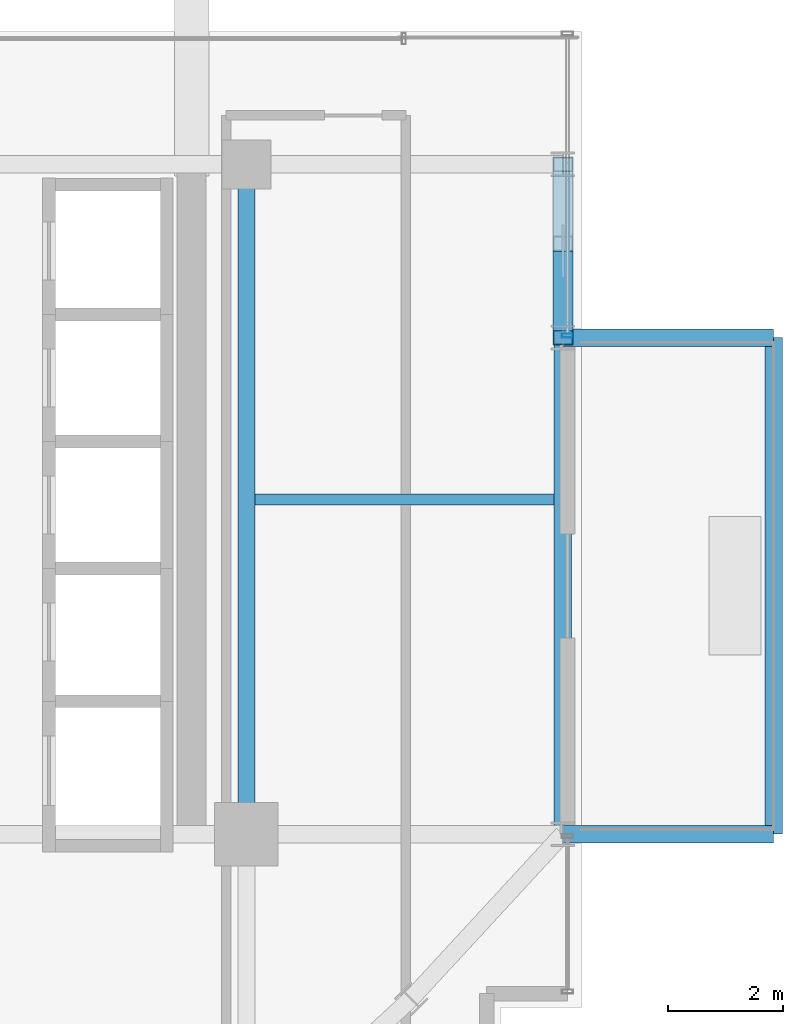
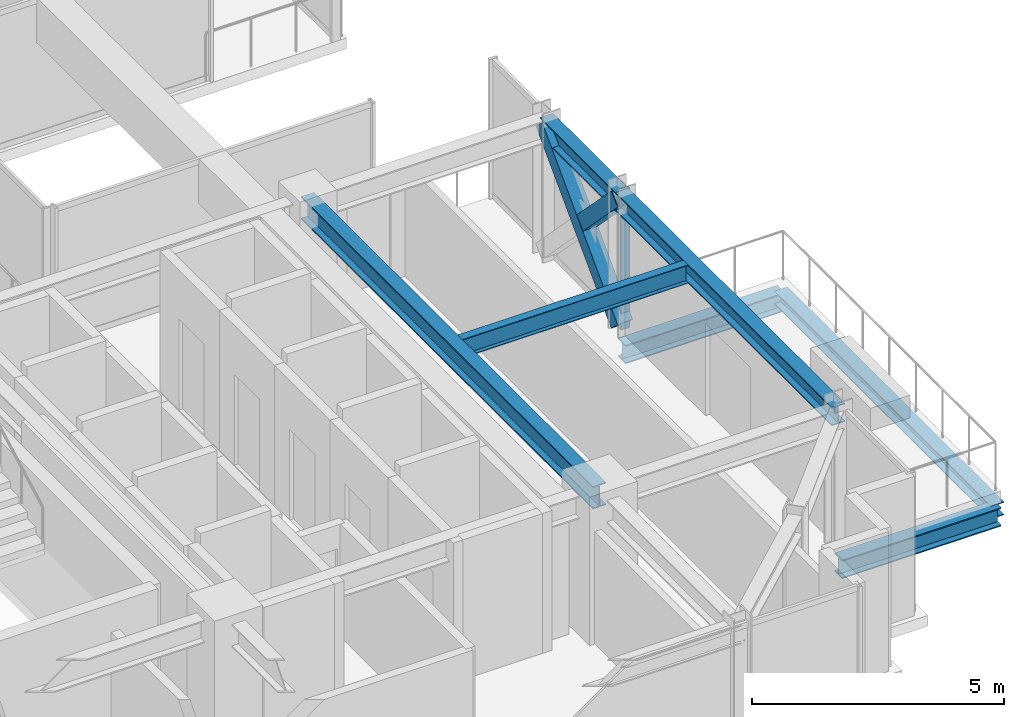
# One storey, part 15 of 36: 7 beams, 3 members, 1 element without a shape of its own.
"""IFC4 building model written with IfcOpenShell, lengths in metres."""

from ifc_helpers import new_model, si_unit, direction, frame, origin, origin_2d, place, context, subcontext, project, spatial, hollow_rectangle, i_section, extrude, source, transform, mapped, material, material_profile, profile_set, type_object, element, aggregate, save


model = new_model("IFC4")

# Units and contexts
model_context = context("Model", 3, precision=1e-05, world=origin(), true_north=direction((0.0, 1.0)))
body_context = subcontext(model_context, "Body", "Model", "MODEL_VIEW")
ifc_project = project(units=[si_unit("LENGTHUNIT", "METRE"), si_unit("AREAUNIT", "SQUARE_METRE"), si_unit("VOLUMEUNIT", "CUBIC_METRE"), si_unit("PLANEANGLEUNIT", "RADIAN"), si_unit("MASSUNIT", "GRAM", prefix="KILO")], contexts=[model_context])

# Site, building, storey
site_placement = place(None, origin())
site = spatial("IfcSite", under=ifc_project, at=site_placement, CompositionType="ELEMENT")
building_placement = place(site_placement, origin())
building = spatial("IfcBuilding", under=site, at=building_placement, Name="Nahalor Promenade Grand Hotel", CompositionType="ELEMENT")
storey_placement = place(building_placement, frame((0.0, 0.0, 174.550048828125)))
storey = spatial("IfcBuildingStorey", under=building, at=storey_placement, Name="L44", CompositionType="ELEMENT", Elevation=174.550048828125)

# Beams
ifc_material_1 = material(Name="Steel S355JR", Category="steel")
ifc_material_profile_1 = material_profile(ifc_material_1, i_section(OverallWidth=0.3, OverallDepth=0.32, WebThickness=0.0115, FlangeThickness=0.0205, at=origin_2d()), Name="HEB 320")
ifc_profile_set_1 = profile_set([ifc_material_profile_1], Name="Steel S355JR")
beam_type_1 = type_object("IfcBeamType", Name="Beam-BalcEdge-HEB320", PredefinedType="SPANDREL", material=ifc_profile_set_1)
shared_shape_1 = source(origin(), body_context, "Body", "SweptSolid", [
    extrude(i_section(OverallWidth=0.3, OverallDepth=0.32, WebThickness=0.0115, FlangeThickness=0.0205, at=origin_2d()), origin(), (0.0, 0.0, 1.0), 8.60009765625),
])
beam_1_placement = place(storey_placement, frame((26.1298828125, -17.0, -0.43994140625), z_axis=(0.0, 1.0, 0.0), x_axis=(-1.0, 0.0, 0.0)))
element("IfcBeam", 1, at=beam_1_placement, inside=storey, type_object=beam_type_1, Name="BM-L44-BC-02-F", PredefinedType="SPANDREL", context=body_context, shape_type="MappedRepresentation", body=[
    mapped(shared_shape_1, transform((0.0, 0.0, 0.0), scale=1.0)),
])
ifc_material_profile_2 = material_profile(ifc_material_1, i_section(OverallWidth=0.3, OverallDepth=0.45, WebThickness=0.014, FlangeThickness=0.026, at=origin_2d()), Name="HEB 450")
ifc_profile_set_2 = profile_set([ifc_material_profile_2], Name="Steel S355JR")
beam_type_2 = type_object("IfcBeamType", Name="Beam-Outrigger-HEB450", PredefinedType="BEAM", material=ifc_profile_set_2)
shared_shape_2 = source(origin(), body_context, "Body", "SweptSolid", [
    extrude(i_section(OverallWidth=0.3, OverallDepth=0.45, WebThickness=0.014, FlangeThickness=0.026, at=origin_2d()), origin(), (0.0, 0.0, 1.0), 3.64990234375),
])
for number, where, z_axis, x_axis, name in (
    (2, (22.47998046875, -17.0, -0.505126953125), (1.0, 0.0, 0.0), (0.0, 1.0, 0.0), "BM-L44-BC-02-1"),
    (3, (22.47998046875, -8.39990234375, -0.505126953125), (1.0, 0.0, 0.0), (0.0, 1.0, 0.0), "BM-L44-BC-02-2"),
):
    element("IfcBeam", number, at=place(storey_placement, frame(where, z_axis=z_axis, x_axis=x_axis)), inside=storey, type_object=beam_type_2, Name=name, PredefinedType="BEAM", context=body_context, shape_type="MappedRepresentation", body=[
        mapped(shared_shape_2, transform((0.0, 0.0, 0.0), scale=1.0)),
    ])
ifc_material_profile_3 = material_profile(ifc_material_1, i_section(OverallWidth=0.3, OverallDepth=0.55, WebThickness=0.015, FlangeThickness=0.029, at=origin_2d()), Name="HEB 550")
ifc_profile_set_3 = profile_set([ifc_material_profile_3], Name="Steel S355JR")
beam_type_3 = type_object("IfcBeamType", Name="Beam-Girder-HEB550", PredefinedType="BEAM", material=ifc_profile_set_3)
shared_shape_3 = source(origin(), body_context, "Body", "SweptSolid", [
    extrude(i_section(OverallWidth=0.3, OverallDepth=0.55, WebThickness=0.015, FlangeThickness=0.029, at=origin_2d()), origin(), (0.0, 0.0, 1.0), 11.60009765625),
])
beam_2_placement = place(storey_placement, frame((17.0, -17.0, 3.114990234375), z_axis=(0.0, 1.0, 0.0), x_axis=(-1.0, 0.0, 0.0)))
element("IfcBeam", 4, at=beam_2_placement, inside=storey, type_object=beam_type_3, Name="BM-L44-GY-5-1", PredefinedType="BEAM", context=body_context, shape_type="MappedRepresentation", body=[
    mapped(shared_shape_3, transform((0.0, 0.0, 0.0), scale=1.0)),
])
ifc_material_profile_4 = material_profile(ifc_material_1, i_section(OverallWidth=0.19, OverallDepth=0.45, WebThickness=0.0094, FlangeThickness=0.0146, at=origin_2d()), Name="IPE 450")
ifc_profile_set_4 = profile_set([ifc_material_profile_4], Name="Steel S355JR")
beam_type_4 = type_object("IfcBeamType", Name="Beam-Joist-IPE450", PredefinedType="JOIST", material=ifc_profile_set_4)
shared_shape_4 = source(origin(), body_context, "Body", "SweptSolid", [
    extrude(i_section(OverallWidth=0.19, OverallDepth=0.45, WebThickness=0.0094, FlangeThickness=0.0146, at=origin_2d()), origin(), (0.0, 0.0, 1.0), 5.18017578125),
])
beam_3_placement = place(storey_placement, frame((17.14990234375, -11.199951171875, 3.1650390625), z_axis=(1.0, 0.0, 0.0), x_axis=(0.0, 1.0, 0.0)))
element("IfcBeam", 5, at=beam_3_placement, inside=storey, type_object=beam_type_4, Name="BM-L44-JSE-0-2", PredefinedType="JOIST", context=body_context, shape_type="MappedRepresentation", body=[
    mapped(shared_shape_4, transform((0.0, 0.0, 0.0), scale=1.0)),
])
ifc_material_profile_5 = material_profile(ifc_material_1, i_section(OverallWidth=0.3, OverallDepth=0.45, WebThickness=0.014, FlangeThickness=0.026, at=origin_2d()), Name="HEB 450")
ifc_profile_set_5 = profile_set([ifc_material_profile_5], Name="Steel S355JR")
beam_type_5 = type_object("IfcBeamType", Name="Beam-Spandrel-HEB450", PredefinedType="SPANDREL", material=ifc_profile_set_5)
shared_shape_5 = source(origin(), body_context, "Body", "SweptSolid", [
    extrude(i_section(OverallWidth=0.3, OverallDepth=0.45, WebThickness=0.014, FlangeThickness=0.026, at=origin_2d()), origin(), (0.0, 0.0, 1.0), 8.60009765625),
])
beam_4_placement = place(storey_placement, frame((22.47998046875, -17.0, 3.1650390625), z_axis=(0.0, 1.0, 0.0), x_axis=(-1.0, 0.0, 0.0)))
element("IfcBeam", 6, at=beam_4_placement, inside=storey, type_object=beam_type_5, Name="BM-L44-SP-E-0", PredefinedType="SPANDREL", context=body_context, shape_type="MappedRepresentation", body=[
    mapped(shared_shape_5, transform((0.0, 0.0, 0.0), scale=1.0)),
])
shared_shape_6 = source(origin(), body_context, "Body", "SweptSolid", [
    extrude(i_section(OverallWidth=0.3, OverallDepth=0.45, WebThickness=0.014, FlangeThickness=0.026, at=origin_2d()), origin(), (0.0, 0.0, 1.0), 3.0),
])
beam_5_placement = place(storey_placement, frame((22.47998046875, -8.39990234375, 3.1650390625), z_axis=(0.0, 1.0, 0.0), x_axis=(-1.0, 0.0, 0.0)))
element("IfcBeam", 7, at=beam_5_placement, inside=storey, type_object=beam_type_5, Name="BM-L44-SP-E-1", PredefinedType="SPANDREL", context=body_context, shape_type="MappedRepresentation", body=[
    mapped(shared_shape_6, transform((0.0, 0.0, 0.0), scale=1.0)),
])

# Members
ifc_material_profile_6 = material_profile(ifc_material_1, hollow_rectangle(XDim=0.35, YDim=0.35, WallThickness=0.02, at=origin_2d()), Name="SHS 350x350x20")
ifc_profile_set_6 = profile_set([ifc_material_profile_6], Name="Steel S355JR")
member_type_1 = type_object("IfcMemberType", Name="Mem-VoidBrace-SHS350", PredefinedType="BRACE", material=ifc_profile_set_6)
shared_shape_7 = source(origin(), body_context, "Body", "SweptSolid", [
    extrude(hollow_rectangle(XDim=0.35, YDim=0.35, WallThickness=0.02, at=origin_2d()), origin(), (0.0, 0.0, 1.0), 1.96630859375),
])
member_1_placement = place(storey_placement, frame((22.47998046875, -7.0302734375, 1.8291015625), z_axis=(0.0, -0.696537426897, 0.717520461682), x_axis=(1.0, 0.0, 0.0)))
element("IfcMember", 8, at=member_1_placement, inside=storey, type_object=member_type_1, Name="EXO-L44-VX2-E0B", PredefinedType="BRACE", context=body_context, shape_type="MappedRepresentation", body=[
    mapped(shared_shape_7, transform((0.0, 0.0, 0.0), scale=1.0)),
])
shared_shape_8 = source(origin(), body_context, "Body", "SweptSolid", [
    extrude(hollow_rectangle(XDim=0.35, YDim=0.35, WallThickness=0.02, at=origin_2d()), origin(), (0.0, 0.0, 1.0), 4.306884765625),
])
member_2_placement = place(storey_placement, frame((22.47998046875, -8.39990234375, 0.14990234375), z_axis=(0.0, 0.696570665899, 0.717488193219), x_axis=(-1.0, 0.0, 0.0)))
element("IfcMember", 9, at=member_2_placement, inside=storey, type_object=member_type_1, Name="EXO-L44-VX1-E0", PredefinedType="BRACE", context=body_context, shape_type="MappedRepresentation", body=[
    mapped(shared_shape_8, transform((0.0, 0.0, 0.0), scale=1.0)),
])

# Curtain wall, member
ifc_material_2 = material(Name="Anodised Bronze Aluminium EN AW-6063 T6", Category="aluminium")
curtain_wall_type = type_object("IfcCurtainWallType", Name="CW3 Elliptical-Void Collar Unitised Curtain Wall", PredefinedType="USERDEFINED", material=ifc_material_2)
curtain_wall_placement = place(storey_placement, origin())
curtain_wall = element("IfcCurtainWall", 10, at=curtain_wall_placement, inside=storey, type_object=curtain_wall_type, Name="L44 Curtain Wall CW-L44-E-3", ObjectType="UNITISED_CURTAIN_WALL", PredefinedType="USERDEFINED")
ifc_material_profile_7 = material_profile(ifc_material_2, hollow_rectangle(XDim=0.07, YDim=0.2, WallThickness=0.005, at=origin_2d()), Name="CWM 70x200x5")
ifc_profile_set_7 = profile_set([ifc_material_profile_7], Name="Anodised Bronze Aluminium EN AW-6063 T6")
member_type_2 = type_object("IfcMemberType", Name="CWM3 Void Collar Mullion 70x200", PredefinedType="MULLION", material=ifc_profile_set_7)
shared_shape_9 = source(origin(), body_context, "Body", "SweptSolid", [
    extrude(hollow_rectangle(XDim=0.07, YDim=0.2, WallThickness=0.005, at=origin_2d()), origin(), (0.0, 0.0, 1.0), 3.389892578125),
])
member_3_placement = place(storey_placement, frame((22.56005859375, -8.364990234375, 0.0), z_axis=(0.0, 0.0, 1.0), x_axis=(0.0, 1.0, 0.0)))
member_3 = element("IfcMember", 11, at=member_3_placement, type_object=member_type_2, Name="CW-L44-E-3 Mullion 0", PredefinedType="MULLION", context=body_context, shape_type="MappedRepresentation", body=[
    mapped(shared_shape_9, transform((0.0, 0.0, 0.0), scale=1.0)),
])
aggregate(curtain_wall, [member_3])

save(model, "model.ifc")
